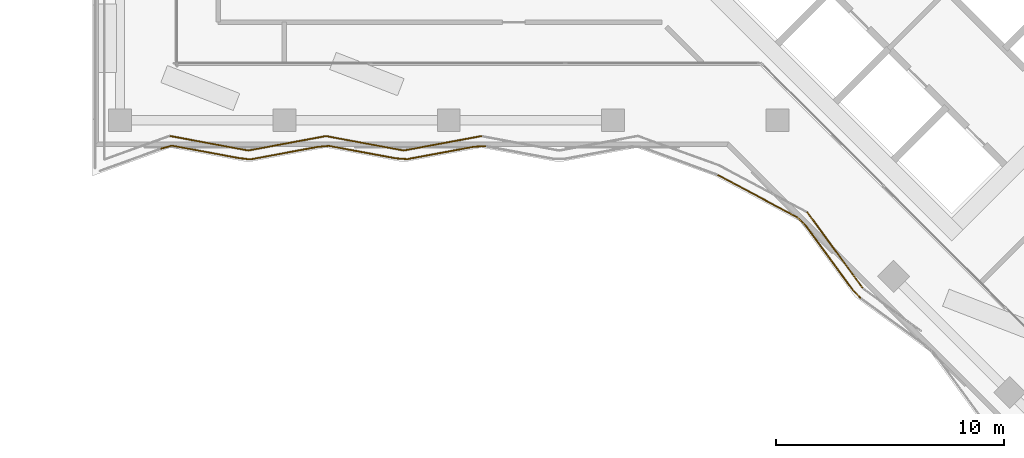
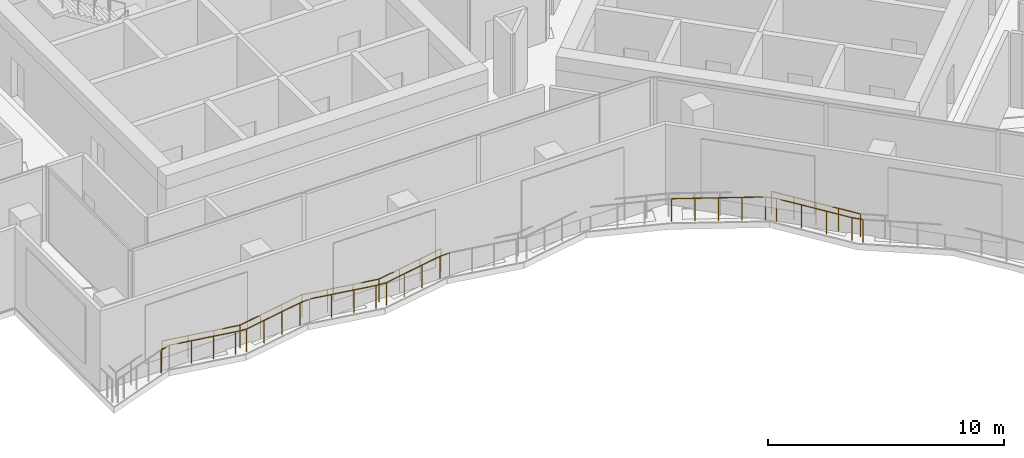
# One storey, part 15 of 23: 18 railings.
"""IFC4 building model written with IfcOpenShell, lengths in metres."""

from ifc_helpers import new_model, si_unit, direction, frame, origin, origin_2d, place, context, subcontext, project, spatial, circle, extrude, material, type_object, element, save


model = new_model("IFC4")

# Units and contexts
model_context = context("Model", 3, precision=1e-05, world=origin(), true_north=direction((0.0, 1.0)))
body_context = subcontext(model_context, "Body", "Model", "MODEL_VIEW")
ifc_project = project(units=[si_unit("LENGTHUNIT", "METRE"), si_unit("AREAUNIT", "SQUARE_METRE"), si_unit("VOLUMEUNIT", "CUBIC_METRE"), si_unit("PLANEANGLEUNIT", "RADIAN"), si_unit("MASSUNIT", "GRAM", prefix="KILO")], contexts=[model_context])

# Site, building, storey
site_placement = place(None, origin())
site = spatial("IfcSite", under=ifc_project, at=site_placement, CompositionType="ELEMENT")
building_placement = place(site_placement, origin())
building = spatial("IfcBuilding", under=site, at=building_placement, Name="Windrow Commons", CompositionType="ELEMENT")
storey_placement = place(building_placement, frame((0.0, 0.0, 122.0)))
storey = spatial("IfcBuildingStorey", under=building, at=storey_placement, Name="L33", CompositionType="ELEMENT", Elevation=122.0)

# Railings
ifc_material = material(Name="Stainless steel S316 balustrade with toughened glass infill", Category="steel")
railing_type = type_object("IfcRailingType", Name="Terrace guard 1200 podium", PredefinedType="BALUSTRADE", material=ifc_material)
railing_1_placement = place(storey_placement, frame((82.9496, 35.831, 0.05)))
element("IfcRailing", 1, at=railing_1_placement, inside=storey, type_object=railing_type, Name="Guard TR-L33-1.E2", PredefinedType="BALUSTRADE", context=body_context, shape_type="SweptSolid", body=[
    extrude(circle(Radius=0.025, at=origin_2d()), frame((0.0, 0.0, 1.175), z_axis=(-0.5898137375, 0.8075393211, 0.0), x_axis=(-0.8075393211, -0.5898137375, 0.0)), (0.0, 0.0, 1.0), 4.1286),
    extrude(circle(Radius=0.02, at=origin_2d()), origin(), (0.0, 0.0, 1.0), 1.15),
    extrude(circle(Radius=0.02, at=origin_2d()), frame((-0.6088, 0.8335, 0.0)), (0.0, 0.0, 1.0), 1.15),
    extrude(circle(Radius=0.02, at=origin_2d()), frame((-1.2176, 1.667, 0.0)), (0.0, 0.0, 1.0), 1.15),
    extrude(circle(Radius=0.02, at=origin_2d()), frame((-1.8263, 2.5005, 0.0)), (0.0, 0.0, 1.0), 1.15),
    extrude(circle(Radius=0.02, at=origin_2d()), frame((-2.4351, 3.334, 0.0)), (0.0, 0.0, 1.0), 1.15),
])
railing_2_placement = place(storey_placement, frame((66.2309, 42.5086, 0.05)))
element("IfcRailing", 2, at=railing_2_placement, inside=storey, type_object=railing_type, Name="Guard TR-L33-1.E7", PredefinedType="BALUSTRADE", context=body_context, shape_type="SweptSolid", body=[
    extrude(circle(Radius=0.025, at=origin_2d()), frame((0.0, 0.0, 1.175), z_axis=(-0.9831669658, -0.1827093798, 0.0), x_axis=(0.1827093798, -0.9831669658, 0.0)), (0.0, 0.0, 1.0), 3.4645),
    extrude(circle(Radius=0.02, at=origin_2d()), origin(), (0.0, 0.0, 1.0), 1.15),
    extrude(circle(Radius=0.02, at=origin_2d()), frame((-1.1354, -0.211, 0.0)), (0.0, 0.0, 1.0), 1.15),
    extrude(circle(Radius=0.02, at=origin_2d()), frame((-2.2708, -0.422, 0.0)), (0.0, 0.0, 1.0), 1.15),
    extrude(circle(Radius=0.02, at=origin_2d()), frame((-3.4062, -0.633, 0.0)), (0.0, 0.0, 1.0), 1.15),
])
railing_3_placement = place(storey_placement, frame((62.8247, 41.8756, 0.05)))
element("IfcRailing", 3, at=railing_3_placement, inside=storey, type_object=railing_type, Name="Guard TR-L33-1.E8", PredefinedType="BALUSTRADE", context=body_context, shape_type="SweptSolid", body=[
    extrude(circle(Radius=0.025, at=origin_2d()), frame((0.0, 0.0, 1.175), z_axis=(-0.9831669658, 0.1827093798, 0.0), x_axis=(-0.1827093798, -0.9831669658, 0.0)), (0.0, 0.0, 1.0), 3.4645),
    extrude(circle(Radius=0.02, at=origin_2d()), origin(), (0.0, 0.0, 1.0), 1.15),
    extrude(circle(Radius=0.02, at=origin_2d()), frame((-1.1354, 0.211, 0.0)), (0.0, 0.0, 1.0), 1.15),
    extrude(circle(Radius=0.02, at=origin_2d()), frame((-2.2708, 0.422, 0.0)), (0.0, 0.0, 1.0), 1.15),
    extrude(circle(Radius=0.02, at=origin_2d()), frame((-3.4062, 0.633, 0.0)), (0.0, 0.0, 1.0), 1.15),
])
railing_4_placement = place(storey_placement, frame((59.4185, 42.5086, 0.05)))
element("IfcRailing", 4, at=railing_4_placement, inside=storey, type_object=railing_type, Name="Guard TR-L33-1.E9", PredefinedType="BALUSTRADE", context=body_context, shape_type="SweptSolid", body=[
    extrude(circle(Radius=0.025, at=origin_2d()), frame((0.0, 0.0, 1.175), z_axis=(-0.9831660022, -0.1827145649, 0.0), x_axis=(0.1827145649, -0.9831660022, 0.0)), (0.0, 0.0, 1.0), 3.4644),
    extrude(circle(Radius=0.02, at=origin_2d()), origin(), (0.0, 0.0, 1.0), 1.15),
    extrude(circle(Radius=0.02, at=origin_2d()), frame((-1.1354, -0.211, 0.0)), (0.0, 0.0, 1.0), 1.15),
    extrude(circle(Radius=0.02, at=origin_2d()), frame((-2.2707, -0.422, 0.0)), (0.0, 0.0, 1.0), 1.15),
    extrude(circle(Radius=0.02, at=origin_2d()), frame((-3.4061, -0.633, 0.0)), (0.0, 0.0, 1.0), 1.15),
])
railing_5_placement = place(storey_placement, frame((56.0124, 41.8756, 0.05)))
element("IfcRailing", 5, at=railing_5_placement, inside=storey, type_object=railing_type, Name="Guard TR-L33-1.E10", PredefinedType="BALUSTRADE", context=body_context, shape_type="SweptSolid", body=[
    extrude(circle(Radius=0.025, at=origin_2d()), frame((0.0, 0.0, 1.175), z_axis=(-0.9831700861, 0.1826925884, 0.0), x_axis=(-0.1826925884, -0.9831700861, 0.0)), (0.0, 0.0, 1.0), 3.5075),
    extrude(circle(Radius=0.02, at=origin_2d()), origin(), (0.0, 0.0, 1.0), 1.15),
    extrude(circle(Radius=0.02, at=origin_2d()), frame((-1.1495, 0.2136, 0.0)), (0.0, 0.0, 1.0), 1.15),
    extrude(circle(Radius=0.02, at=origin_2d()), frame((-2.299, 0.4272, 0.0)), (0.0, 0.0, 1.0), 1.15),
    extrude(circle(Radius=0.02, at=origin_2d()), frame((-3.4485, 0.6408, 0.0)), (0.0, 0.0, 1.0), 1.15),
])
railing_6_placement = place(storey_placement, frame((82.8326, 35.4212, 0.05)))
element("IfcRailing", 6, at=railing_6_placement, inside=storey, type_object=railing_type, Name="Guard TR-L33-1.C60", PredefinedType="BALUSTRADE", context=body_context, shape_type="SweptSolid", body=[
    extrude(circle(Radius=0.025, at=origin_2d()), frame((0.0, 0.0, 1.175), z_axis=(-0.689260461, 0.7245136416, 0.0), x_axis=(-0.7245136416, -0.689260461, 0.0)), (0.0, 0.0, 1.0), 0.4936),
    extrude(circle(Radius=0.02, at=origin_2d()), origin(), (0.0, 0.0, 1.0), 1.15),
    extrude(circle(Radius=0.02, at=origin_2d()), frame((-0.3402, 0.3576, 0.0)), (0.0, 0.0, 1.0), 1.15),
])
railing_7_placement = place(storey_placement, frame((82.4924, 35.7788, 0.05)))
element("IfcRailing", 7, at=railing_7_placement, inside=storey, type_object=railing_type, Name="Guard TR-L33-1.C61", PredefinedType="BALUSTRADE", context=body_context, shape_type="SweptSolid", body=[
    extrude(circle(Radius=0.025, at=origin_2d()), frame((0.0, 0.0, 1.175), z_axis=(-0.5898171588, 0.8075368222, 0.0), x_axis=(-0.8075368222, -0.5898171588, 0.0)), (0.0, 0.0, 1.0), 3.4953),
    extrude(circle(Radius=0.02, at=origin_2d()), origin(), (0.0, 0.0, 1.0), 1.15),
    extrude(circle(Radius=0.02, at=origin_2d()), frame((-0.6872, 0.9409, 0.0)), (0.0, 0.0, 1.0), 1.15),
    extrude(circle(Radius=0.02, at=origin_2d()), frame((-1.3744, 1.8817, 0.0)), (0.0, 0.0, 1.0), 1.15),
    extrude(circle(Radius=0.02, at=origin_2d()), frame((-2.0616, 2.8226, 0.0)), (0.0, 0.0, 1.0), 1.15),
])
railing_8_placement = place(storey_placement, frame((80.4308, 38.6014, 0.05)))
element("IfcRailing", 8, at=railing_8_placement, inside=storey, type_object=railing_type, Name="Guard TR-L33-1.C62", PredefinedType="BALUSTRADE", context=body_context, shape_type="SweptSolid", body=[
    extrude(circle(Radius=0.025, at=origin_2d()), frame((0.0, 0.0, 1.175), z_axis=(-0.7150590591, 0.6990640472, 0.0), x_axis=(-0.6990640472, -0.7150590591, 0.0)), (0.0, 0.0, 1.0), 0.4877),
    extrude(circle(Radius=0.02, at=origin_2d()), origin(), (0.0, 0.0, 1.0), 1.15),
    extrude(circle(Radius=0.02, at=origin_2d()), frame((-0.3487, 0.3409, 0.0)), (0.0, 0.0, 1.0), 1.15),
])
railing_9_placement = place(storey_placement, frame((80.0821, 38.9423, 0.05)))
element("IfcRailing", 9, at=railing_9_placement, inside=storey, type_object=railing_type, Name="Guard TR-L33-1.C63", PredefinedType="BALUSTRADE", context=body_context, shape_type="SweptSolid", body=[
    extrude(circle(Radius=0.025, at=origin_2d()), frame((0.0, 0.0, 1.175), z_axis=(-0.8822940327, 0.4706986721, 0.0), x_axis=(-0.4706986721, -0.8822940327, 0.0)), (0.0, 0.0, 1.0), 3.9947),
    extrude(circle(Radius=0.02, at=origin_2d()), origin(), (0.0, 0.0, 1.0), 1.15),
    extrude(circle(Radius=0.02, at=origin_2d()), frame((-0.8811, 0.4701, 0.0)), (0.0, 0.0, 1.0), 1.15),
    extrude(circle(Radius=0.02, at=origin_2d()), frame((-1.7623, 0.9401, 0.0)), (0.0, 0.0, 1.0), 1.15),
    extrude(circle(Radius=0.02, at=origin_2d()), frame((-2.6434, 1.4102, 0.0)), (0.0, 0.0, 1.0), 1.15),
    extrude(circle(Radius=0.02, at=origin_2d()), frame((-3.5245, 1.8803, 0.0)), (0.0, 0.0, 1.0), 1.15),
])
railing_10_placement = place(storey_placement, frame((66.4124, 42.068, 0.05)))
element("IfcRailing", 10, at=railing_10_placement, inside=storey, type_object=railing_type, Name="Guard TR-L33-1.C69", PredefinedType="BALUSTRADE", context=body_context, shape_type="SweptSolid", body=[
    extrude(circle(Radius=0.025, at=origin_2d()), frame((0.0, 0.0, 1.175), z_axis=(-0.9988272743, -0.0484156601, 0.0), x_axis=(0.0484156601, -0.9988272743, 0.0)), (0.0, 0.0, 1.0), 0.4916),
    extrude(circle(Radius=0.02, at=origin_2d()), origin(), (0.0, 0.0, 1.0), 1.15),
    extrude(circle(Radius=0.02, at=origin_2d()), frame((-0.491, -0.0238, 0.0)), (0.0, 0.0, 1.0), 1.15),
])
railing_11_placement = place(storey_placement, frame((65.9214, 42.0442, 0.05)))
element("IfcRailing", 11, at=railing_11_placement, inside=storey, type_object=railing_type, Name="Guard TR-L33-1.C70", PredefinedType="BALUSTRADE", context=body_context, shape_type="SweptSolid", body=[
    extrude(circle(Radius=0.025, at=origin_2d()), frame((0.0, 0.0, 1.175), z_axis=(-0.983167158, -0.1827083454, 0.0), x_axis=(0.1827083454, -0.983167158, 0.0)), (0.0, 0.0, 1.0), 2.996),
    extrude(circle(Radius=0.02, at=origin_2d()), origin(), (0.0, 0.0, 1.0), 1.15),
    extrude(circle(Radius=0.02, at=origin_2d()), frame((-0.9819, -0.1825, 0.0)), (0.0, 0.0, 1.0), 1.15),
    extrude(circle(Radius=0.02, at=origin_2d()), frame((-1.9637, -0.3649, 0.0)), (0.0, 0.0, 1.0), 1.15),
    extrude(circle(Radius=0.02, at=origin_2d()), frame((-2.9456, -0.5474, 0.0)), (0.0, 0.0, 1.0), 1.15),
])
railing_12_placement = place(storey_placement, frame((62.9758, 41.4968, 0.05)))
element("IfcRailing", 12, at=railing_12_placement, inside=storey, type_object=railing_type, Name="Guard TR-L33-1.C71", PredefinedType="BALUSTRADE", context=body_context, shape_type="SweptSolid", body=[
    extrude(circle(Radius=0.025, at=origin_2d()), frame((0.0, 0.0, 1.175), z_axis=(-0.9974535401, 0.0713192488, 0.0), x_axis=(-0.0713192488, -0.9974535401, 0.0)), (0.0, 0.0, 1.0), 0.4922),
    extrude(circle(Radius=0.02, at=origin_2d()), origin(), (0.0, 0.0, 1.0), 1.15),
    extrude(circle(Radius=0.02, at=origin_2d()), frame((-0.4909, 0.0351, 0.0)), (0.0, 0.0, 1.0), 1.15),
])
railing_13_placement = place(storey_placement, frame((62.4849, 41.5319, 0.05)))
element("IfcRailing", 13, at=railing_13_placement, inside=storey, type_object=railing_type, Name="Guard TR-L33-1.C72", PredefinedType="BALUSTRADE", context=body_context, shape_type="SweptSolid", body=[
    extrude(circle(Radius=0.025, at=origin_2d()), frame((0.0, 0.0, 1.175), z_axis=(-0.983167158, 0.1827083454, 0.0), x_axis=(-0.1827083454, -0.983167158, 0.0)), (0.0, 0.0, 1.0), 2.996),
    extrude(circle(Radius=0.02, at=origin_2d()), origin(), (0.0, 0.0, 1.0), 1.15),
    extrude(circle(Radius=0.02, at=origin_2d()), frame((-0.9819, 0.1825, 0.0)), (0.0, 0.0, 1.0), 1.15),
    extrude(circle(Radius=0.02, at=origin_2d()), frame((-1.9637, 0.3649, 0.0)), (0.0, 0.0, 1.0), 1.15),
    extrude(circle(Radius=0.02, at=origin_2d()), frame((-2.9456, 0.5474, 0.0)), (0.0, 0.0, 1.0), 1.15),
])
railing_14_placement = place(storey_placement, frame((59.5393, 42.0793, 0.05)))
element("IfcRailing", 14, at=railing_14_placement, inside=storey, type_object=railing_type, Name="Guard TR-L33-1.C73", PredefinedType="BALUSTRADE", context=body_context, shape_type="SweptSolid", body=[
    extrude(circle(Radius=0.025, at=origin_2d()), frame((0.0, 0.0, 1.175), z_axis=(-0.9955644652, -0.0940818558, 0.0), x_axis=(0.0940818558, -0.9955644652, 0.0)), (0.0, 0.0, 1.0), 0.4932),
    extrude(circle(Radius=0.02, at=origin_2d()), origin(), (0.0, 0.0, 1.0), 1.15),
    extrude(circle(Radius=0.02, at=origin_2d()), frame((-0.491, -0.0464, 0.0)), (0.0, 0.0, 1.0), 1.15),
])
railing_15_placement = place(storey_placement, frame((59.0483, 42.0329, 0.05)))
element("IfcRailing", 15, at=railing_15_placement, inside=storey, type_object=railing_type, Name="Guard TR-L33-1.C74", PredefinedType="BALUSTRADE", context=body_context, shape_type="SweptSolid", body=[
    extrude(circle(Radius=0.025, at=origin_2d()), frame((0.0, 0.0, 1.175), z_axis=(-0.983167158, -0.1827083454, 0.0), x_axis=(0.1827083454, -0.983167158, 0.0)), (0.0, 0.0, 1.0), 2.996),
    extrude(circle(Radius=0.02, at=origin_2d()), origin(), (0.0, 0.0, 1.0), 1.15),
    extrude(circle(Radius=0.02, at=origin_2d()), frame((-0.9819, -0.1825, 0.0)), (0.0, 0.0, 1.0), 1.15),
    extrude(circle(Radius=0.02, at=origin_2d()), frame((-1.9637, -0.3649, 0.0)), (0.0, 0.0, 1.0), 1.15),
    extrude(circle(Radius=0.02, at=origin_2d()), frame((-2.9456, -0.5474, 0.0)), (0.0, 0.0, 1.0), 1.15),
])
railing_16_placement = place(storey_placement, frame((56.1027, 41.4855, 0.05)))
element("IfcRailing", 16, at=railing_16_placement, inside=storey, type_object=railing_type, Name="Guard TR-L33-1.C75", PredefinedType="BALUSTRADE", context=body_context, shape_type="SweptSolid", body=[
    extrude(circle(Radius=0.025, at=origin_2d()), frame((0.0, 0.0, 1.175), z_axis=(-0.9931630276, 0.1167356013, 0.0), x_axis=(-0.1167356013, -0.9931630276, 0.0)), (0.0, 0.0, 1.0), 0.4943),
    extrude(circle(Radius=0.02, at=origin_2d()), origin(), (0.0, 0.0, 1.0), 1.15),
    extrude(circle(Radius=0.02, at=origin_2d()), frame((-0.4909, 0.0577, 0.0)), (0.0, 0.0, 1.0), 1.15),
])
railing_17_placement = place(storey_placement, frame((55.6118, 41.5432, 0.05)))
element("IfcRailing", 17, at=railing_17_placement, inside=storey, type_object=railing_type, Name="Guard TR-L33-1.C76", PredefinedType="BALUSTRADE", context=body_context, shape_type="SweptSolid", body=[
    extrude(circle(Radius=0.025, at=origin_2d()), frame((0.0, 0.0, 1.175), z_axis=(-0.9831682721, 0.1827023499, 0.0), x_axis=(-0.1827023499, -0.9831682721, 0.0)), (0.0, 0.0, 1.0), 2.9961),
    extrude(circle(Radius=0.02, at=origin_2d()), origin(), (0.0, 0.0, 1.0), 1.15),
    extrude(circle(Radius=0.02, at=origin_2d()), frame((-0.9819, 0.1825, 0.0)), (0.0, 0.0, 1.0), 1.15),
    extrude(circle(Radius=0.02, at=origin_2d()), frame((-1.9638, 0.3649, 0.0)), (0.0, 0.0, 1.0), 1.15),
    extrude(circle(Radius=0.02, at=origin_2d()), frame((-2.9457, 0.5474, 0.0)), (0.0, 0.0, 1.0), 1.15),
])
railing_18_placement = place(storey_placement, frame((52.6661, 42.0906, 0.05)))
element("IfcRailing", 18, at=railing_18_placement, inside=storey, type_object=railing_type, Name="Guard TR-L33-1.C77", PredefinedType="BALUSTRADE", context=body_context, shape_type="SweptSolid", body=[
    extrude(circle(Radius=0.025, at=origin_2d()), frame((0.0, 0.0, 1.175), z_axis=(-0.9622734764, -0.2720840983, 0.0), x_axis=(0.2720840983, -0.9622734764, 0.0)), (0.0, 0.0, 1.0), 0.491),
    extrude(circle(Radius=0.02, at=origin_2d()), origin(), (0.0, 0.0, 1.0), 1.15),
    extrude(circle(Radius=0.02, at=origin_2d()), frame((-0.4725, -0.1336, 0.0)), (0.0, 0.0, 1.0), 1.15),
])

save(model, "model.ifc")
